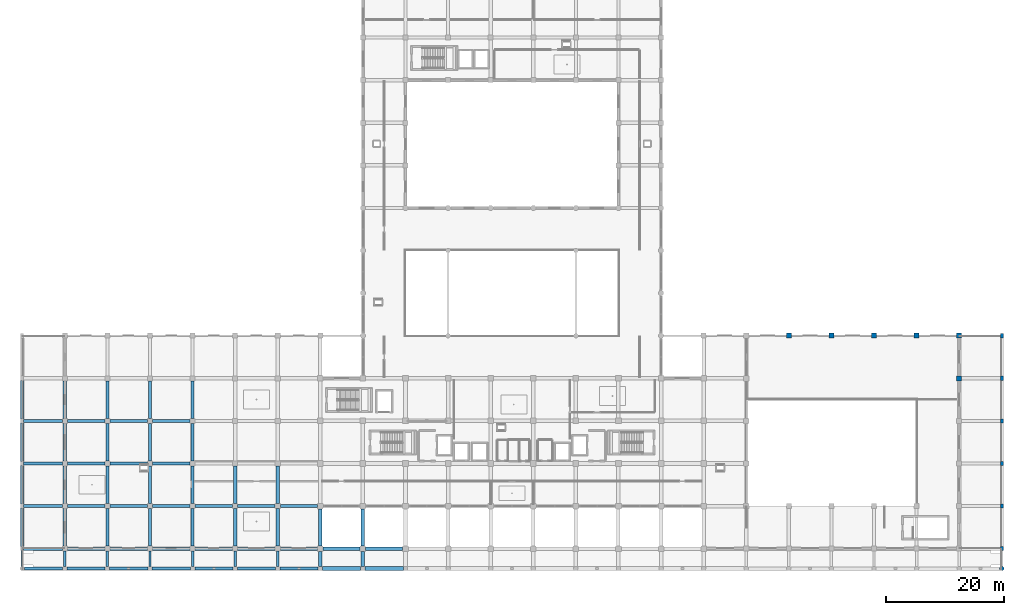
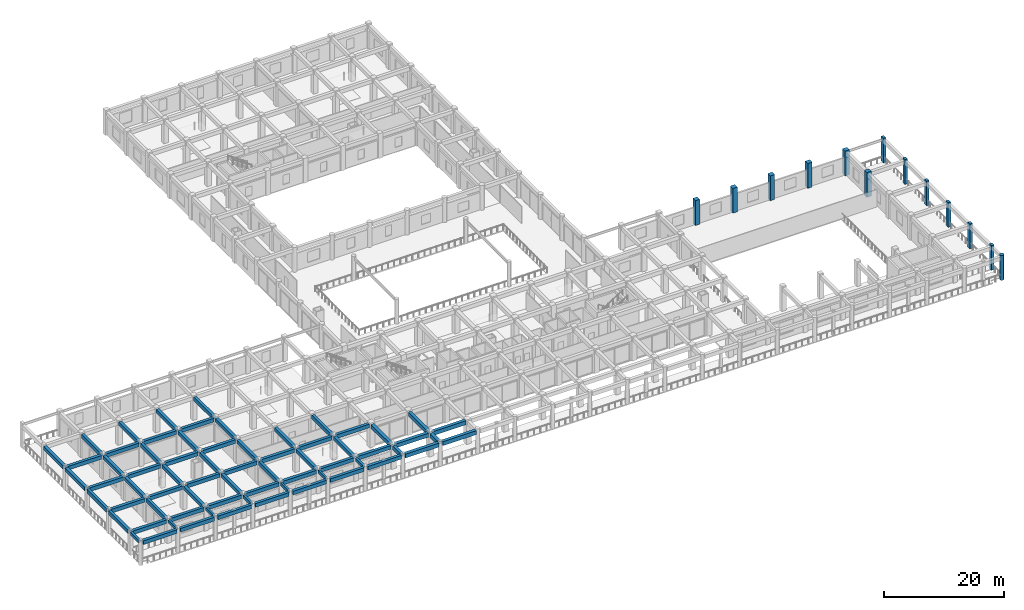
# One storey, part 3 of 54: 68 beams, 13 columns.
"""IFC4 building model written with IfcOpenShell, lengths in metres."""

from ifc_helpers import new_model, si_unit, direction, frame, origin, origin_2d, place, context, subcontext, project, spatial, rectangle, circle, extrude, material, material_profile, profile_set, type_object, element, save


model = new_model("IFC4")

# Units and contexts
model_context = context("Model", 3, precision=1e-05, world=origin(), true_north=direction((0.0, 1.0)))
body_context = subcontext(model_context, "Body", "Model", "MODEL_VIEW")
ifc_project = project(units=[si_unit("LENGTHUNIT", "METRE"), si_unit("AREAUNIT", "SQUARE_METRE"), si_unit("VOLUMEUNIT", "CUBIC_METRE"), si_unit("PLANEANGLEUNIT", "RADIAN"), si_unit("MASSUNIT", "GRAM", prefix="KILO")], contexts=[model_context])

# Site, building, storey
site_placement = place(None, origin())
site = spatial("IfcSite", under=ifc_project, at=site_placement, CompositionType="ELEMENT")
building_placement = place(site_placement, origin())
building = spatial("IfcBuilding", under=site, at=building_placement, Name="Kazehaya Institute of Natural Sciences", CompositionType="ELEMENT")
storey_placement = place(building_placement, frame((0.0, 0.0, 5.39990234375)))
storey = spatial("IfcBuildingStorey", under=building, at=storey_placement, Name="L01", CompositionType="ELEMENT", Elevation=5.39990234375)

# Columns
ifc_material_1 = material(Name="Concrete Fc36", Category="concrete")
ifc_material_profile_1 = material_profile(ifc_material_1, circle(Radius=0.375, at=origin_2d()), Name="RC-DIA750")
ifc_profile_set_1 = profile_set([ifc_material_profile_1], Name="Concrete Fc36")
column_type_1 = type_object("IfcColumnType", Name="COL-DIA750", PredefinedType="COLUMN", material=ifc_profile_set_1)
column_placement = place(storey_placement, frame((169.800048828125, 3.449951171875, 0.0), z_axis=(0.0, 0.0, 1.0), x_axis=(1.0, 0.0, 0.0)))
element("IfcColumn", 1, at=column_placement, inside=storey, type_object=column_type_1, Name="L01 column COL-L01-0474", PredefinedType="COLUMN", context=body_context, shape_type="SweptSolid", body=[
    extrude(circle(Radius=0.375, at=origin_2d()), origin(), (0.0, 0.0, 1.0), 5.0400390625),
])
ifc_material_profile_2 = material_profile(ifc_material_1, rectangle(XDim=0.5, YDim=0.699951171875, at=origin_2d()), Name="RC-700x500")
ifc_profile_set_2 = profile_set([ifc_material_profile_2], Name="Concrete Fc36")
column_type_2 = type_object("IfcColumnType", Name="COL-RC700x500", PredefinedType="COLUMN", material=ifc_profile_set_2)
for number, where, z_axis, x_axis, name in (
    (2, (169.800048828125, 6.800048828125, 0.0), (0.0, 0.0, 1.0), (1.0, 0.0, 0.0), "L01 column COL-L01-0498"),
    (3, (169.800048828125, 14.0, 0.0), (0.0, 0.0, 1.0), (1.0, 0.0, 0.0), "L01 column COL-L01-0522"),
    (4, (169.800048828125, 21.199951171875, 0.0), (0.0, 0.0, 1.0), (1.0, 0.0, 0.0), "L01 column COL-L01-0542"),
    (5, (169.800048828125, 28.39990234375, 0.0), (0.0, 0.0, 1.0), (1.0, 0.0, 0.0), "L01 column COL-L01-0562"),
    (6, (169.800048828125, 35.60009765625, 0.0), (0.0, 0.0, 1.0), (1.0, 0.0, 0.0), "L01 column COL-L01-0582"),
    (7, (169.800048828125, 42.800048828125, 0.0), (0.0, 0.0, 1.0), (1.0, 0.0, 0.0), "L01 column COL-L01-0600"),
):
    element("IfcColumn", number, at=place(storey_placement, frame(where, z_axis=z_axis, x_axis=x_axis)), inside=storey, type_object=column_type_2, Name=name, PredefinedType="COLUMN", context=body_context, shape_type="SweptSolid", body=[
        extrude(rectangle(XDim=0.5, YDim=0.699951171875, at=origin_2d()), origin(), (0.0, 0.0, 1.0), 5.0400390625),
    ])
ifc_material_2 = material(Name="Concrete Fc42", Category="concrete")
ifc_material_profile_3 = material_profile(ifc_material_2, rectangle(XDim=0.85009765625, YDim=0.85009765625, at=origin_2d()), Name="RC-850x850")
ifc_profile_set_3 = profile_set([ifc_material_profile_3], Name="Concrete Fc42")
column_type_3 = type_object("IfcColumnType", Name="COL-RC850", PredefinedType="COLUMN", material=ifc_profile_set_3)
for number, where, z_axis, x_axis, name in (
    (8, (162.60009765625, 35.60009765625, 0.0), (0.0, 0.0, 1.0), (1.0, 0.0, 0.0), "L01 column COL-L01-0581"),
    (9, (133.800048828125, 42.800048828125, 0.0), (0.0, 0.0, 1.0), (1.0, 0.0, 0.0), "L01 column COL-L01-0595"),
    (10, (141.0, 42.800048828125, 0.0), (0.0, 0.0, 1.0), (1.0, 0.0, 0.0), "L01 column COL-L01-0596"),
    (11, (148.199951171875, 42.800048828125, 0.0), (0.0, 0.0, 1.0), (1.0, 0.0, 0.0), "L01 column COL-L01-0597"),
    (12, (155.39990234375, 42.800048828125, 0.0), (0.0, 0.0, 1.0), (1.0, 0.0, 0.0), "L01 column COL-L01-0598"),
    (13, (162.60009765625, 42.800048828125, 0.0), (0.0, 0.0, 1.0), (1.0, 0.0, 0.0), "L01 column COL-L01-0599"),
):
    element("IfcColumn", number, at=place(storey_placement, frame(where, z_axis=z_axis, x_axis=x_axis)), inside=storey, type_object=column_type_3, Name=name, PredefinedType="COLUMN", context=body_context, shape_type="SweptSolid", body=[
        extrude(rectangle(XDim=0.85009765625, YDim=0.85009765625, at=origin_2d()), origin(), (0.0, 0.0, 1.0), 5.0400390625),
    ])

# Beams
ifc_material_profile_4 = material_profile(ifc_material_1, rectangle(XDim=0.39990234375, YDim=0.60009765625, at=origin_2d()), Name="RC-400x600")
ifc_profile_set_4 = profile_set([ifc_material_profile_4], Name="Concrete Fc36")
beam_type_1 = type_object("IfcBeamType", Name="BM-B-400x600", PredefinedType="BEAM", material=ifc_profile_set_4)
beam_1_placement = place(storey_placement, frame((4.199951171875, 3.824951171875, 4.47021484375), z_axis=(0.0, 1.0, 0.0), x_axis=(-1.0, 0.0, 0.0)))
element("IfcBeam", 14, at=beam_1_placement, inside=storey, type_object=beam_type_1, Name="L01 primary Y girder BMY-L01-42-34", PredefinedType="BEAM", context=body_context, shape_type="SweptSolid", body=[
    extrude(rectangle(XDim=0.39990234375, YDim=0.60009765625, at=origin_2d()), origin(), (0.0, 0.0, 1.0), 2.625),
])
for number, where, z_axis, x_axis, name in (
    (15, (11.39990234375, 3.824951171875, 4.47021484375), (0.0, 1.0, 0.0), (-1.0, 0.0, 0.0), "L01 primary Y girder BMY-L01-114-34"),
    (16, (18.60009765625, 3.824951171875, 4.47021484375), (0.0, 1.0, 0.0), (-1.0, 0.0, 0.0), "L01 primary Y girder BMY-L01-186-34"),
    (17, (25.800048828125, 3.824951171875, 4.47021484375), (0.0, 1.0, 0.0), (-1.0, 0.0, 0.0), "L01 primary Y girder BMY-L01-258-34"),
    (18, (33.0, 3.824951171875, 4.47021484375), (0.0, 1.0, 0.0), (-1.0, 0.0, 0.0), "L01 primary Y girder BMY-L01-330-34"),
    (19, (40.199951171875, 3.824951171875, 4.47021484375), (0.0, 1.0, 0.0), (-1.0, 0.0, 0.0), "L01 primary Y girder BMY-L01-402-34"),
    (20, (47.39990234375, 3.824951171875, 4.47021484375), (0.0, 1.0, 0.0), (-1.0, 0.0, 0.0), "L01 primary Y girder BMY-L01-474-34"),
):
    element("IfcBeam", number, at=place(storey_placement, frame(where, z_axis=z_axis, x_axis=x_axis)), inside=storey, type_object=beam_type_1, Name=name, PredefinedType="BEAM", context=body_context, shape_type="SweptSolid", body=[
        extrude(rectangle(XDim=0.39990234375, YDim=0.60009765625, at=origin_2d()), origin(), (0.0, 0.0, 1.0), 2.550048828125),
    ])
ifc_material_profile_5 = material_profile(ifc_material_1, rectangle(XDim=0.550048828125, YDim=0.75, at=origin_2d()), Name="RC-550x750")
ifc_profile_set_5 = profile_set([ifc_material_profile_5], Name="Concrete Fc36")
beam_type_2 = type_object("IfcBeamType", Name="BM-G-550x750", PredefinedType="BEAM", material=ifc_profile_set_5)
beam_2_placement = place(storey_placement, frame((4.574951171875, 3.449951171875, 4.39501953125), z_axis=(1.0, 0.0, 0.0), x_axis=(0.0, 1.0, 0.0)))
element("IfcBeam", 21, at=beam_2_placement, inside=storey, type_object=beam_type_2, Name="L01 primary X girder BMX-L01-42-34", PredefinedType="BEAM", context=body_context, shape_type="SweptSolid", body=[
    extrude(rectangle(XDim=0.550048828125, YDim=0.75, at=origin_2d()), origin(), (0.0, 0.0, 1.0), 6.449951171875),
])
beam_3_placement = place(storey_placement, frame((11.77490234375, 3.449951171875, 4.39501953125), z_axis=(1.0, 0.0, 0.0), x_axis=(0.0, 1.0, 0.0)))
element("IfcBeam", 22, at=beam_3_placement, inside=storey, type_object=beam_type_2, Name="L01 primary X girder BMX-L01-114-34", PredefinedType="BEAM", context=body_context, shape_type="SweptSolid", body=[
    extrude(rectangle(XDim=0.550048828125, YDim=0.75, at=origin_2d()), origin(), (0.0, 0.0, 1.0), 6.4501953125),
])
for number, where, z_axis, x_axis, name in (
    (23, (18.97509765625, 3.449951171875, 4.39501953125), (1.0, 0.0, 0.0), (0.0, 1.0, 0.0), "L01 primary X girder BMX-L01-186-34"),
    (24, (26.175048828125, 3.449951171875, 4.39501953125), (1.0, 0.0, 0.0), (0.0, 1.0, 0.0), "L01 primary X girder BMX-L01-258-34"),
    (25, (33.375, 3.449951171875, 4.39501953125), (1.0, 0.0, 0.0), (0.0, 1.0, 0.0), "L01 primary X girder BMX-L01-330-34"),
    (26, (40.574951171875, 3.449951171875, 4.39501953125), (1.0, 0.0, 0.0), (0.0, 1.0, 0.0), "L01 primary X girder BMX-L01-402-34"),
):
    element("IfcBeam", number, at=place(storey_placement, frame(where, z_axis=z_axis, x_axis=x_axis)), inside=storey, type_object=beam_type_2, Name=name, PredefinedType="BEAM", context=body_context, shape_type="SweptSolid", body=[
        extrude(rectangle(XDim=0.550048828125, YDim=0.75, at=origin_2d()), origin(), (0.0, 0.0, 1.0), 6.449951171875),
    ])
beam_4_placement = place(storey_placement, frame((47.77490234375, 3.449951171875, 4.39501953125), z_axis=(1.0, 0.0, 0.0), x_axis=(0.0, 1.0, 0.0)))
element("IfcBeam", 27, at=beam_4_placement, inside=storey, type_object=beam_type_2, Name="L01 primary X girder BMX-L01-474-34", PredefinedType="BEAM", context=body_context, shape_type="SweptSolid", body=[
    extrude(rectangle(XDim=0.550048828125, YDim=0.75, at=origin_2d()), origin(), (0.0, 0.0, 1.0), 6.4501953125),
])
beam_5_placement = place(storey_placement, frame((4.449951171875, 6.800048828125, 4.39501953125), z_axis=(1.0, 0.0, 0.0), x_axis=(0.0, 1.0, 0.0)))
element("IfcBeam", 28, at=beam_5_placement, inside=storey, type_object=beam_type_2, Name="L01 primary X girder BMX-L01-42-68", PredefinedType="BEAM", context=body_context, shape_type="SweptSolid", body=[
    extrude(rectangle(XDim=0.550048828125, YDim=0.75, at=origin_2d()), origin(), (0.0, 0.0, 1.0), 6.525146484375),
])
for number, where, z_axis, x_axis, name in (
    (29, (11.824951171875, 6.800048828125, 4.39501953125), (1.0, 0.0, 0.0), (0.0, 1.0, 0.0), "L01 primary X girder BMX-L01-114-68"),
    (30, (19.02490234375, 6.800048828125, 4.39501953125), (1.0, 0.0, 0.0), (0.0, 1.0, 0.0), "L01 primary X girder BMX-L01-186-68"),
):
    element("IfcBeam", number, at=place(storey_placement, frame(where, z_axis=z_axis, x_axis=x_axis)), inside=storey, type_object=beam_type_2, Name=name, PredefinedType="BEAM", context=body_context, shape_type="SweptSolid", body=[
        extrude(rectangle(XDim=0.550048828125, YDim=0.75, at=origin_2d()), origin(), (0.0, 0.0, 1.0), 6.35009765625),
    ])
for number, where, z_axis, x_axis, name in (
    (31, (26.22509765625, 6.800048828125, 4.39501953125), (1.0, 0.0, 0.0), (0.0, 1.0, 0.0), "L01 primary X girder BMX-L01-258-68"),
    (32, (33.425048828125, 6.800048828125, 4.39501953125), (1.0, 0.0, 0.0), (0.0, 1.0, 0.0), "L01 primary X girder BMX-L01-330-68"),
):
    element("IfcBeam", number, at=place(storey_placement, frame(where, z_axis=z_axis, x_axis=x_axis)), inside=storey, type_object=beam_type_2, Name=name, PredefinedType="BEAM", context=body_context, shape_type="SweptSolid", body=[
        extrude(rectangle(XDim=0.550048828125, YDim=0.75, at=origin_2d()), origin(), (0.0, 0.0, 1.0), 6.349853515625),
    ])
beam_6_placement = place(storey_placement, frame((40.625, 6.800048828125, 4.39501953125), z_axis=(1.0, 0.0, 0.0), x_axis=(0.0, 1.0, 0.0)))
element("IfcBeam", 33, at=beam_6_placement, inside=storey, type_object=beam_type_2, Name="L01 primary X girder BMX-L01-402-68", PredefinedType="BEAM", context=body_context, shape_type="SweptSolid", body=[
    extrude(rectangle(XDim=0.550048828125, YDim=0.75, at=origin_2d()), origin(), (0.0, 0.0, 1.0), 6.35009765625),
])
beam_7_placement = place(storey_placement, frame((47.824951171875, 6.800048828125, 4.39501953125), z_axis=(1.0, 0.0, 0.0), x_axis=(0.0, 1.0, 0.0)))
element("IfcBeam", 34, at=beam_7_placement, inside=storey, type_object=beam_type_2, Name="L01 primary X girder BMX-L01-474-68", PredefinedType="BEAM", context=body_context, shape_type="SweptSolid", body=[
    extrude(rectangle(XDim=0.550048828125, YDim=0.75, at=origin_2d()), origin(), (0.0, 0.0, 1.0), 6.300048828125),
])
beam_8_placement = place(storey_placement, frame((4.449951171875, 14.0, 4.39501953125), z_axis=(1.0, 0.0, 0.0), x_axis=(0.0, 1.0, 0.0)))
element("IfcBeam", 35, at=beam_8_placement, inside=storey, type_object=beam_type_2, Name="L01 primary X girder BMX-L01-42-140", PredefinedType="BEAM", context=body_context, shape_type="SweptSolid", body=[
    extrude(rectangle(XDim=0.550048828125, YDim=0.75, at=origin_2d()), origin(), (0.0, 0.0, 1.0), 6.525146484375),
])
for number, where, z_axis, x_axis, name in (
    (36, (11.824951171875, 14.0, 4.39501953125), (1.0, 0.0, 0.0), (0.0, 1.0, 0.0), "L01 primary X girder BMX-L01-114-140"),
    (37, (19.02490234375, 14.0, 4.39501953125), (1.0, 0.0, 0.0), (0.0, 1.0, 0.0), "L01 primary X girder BMX-L01-186-140"),
):
    element("IfcBeam", number, at=place(storey_placement, frame(where, z_axis=z_axis, x_axis=x_axis)), inside=storey, type_object=beam_type_2, Name=name, PredefinedType="BEAM", context=body_context, shape_type="SweptSolid", body=[
        extrude(rectangle(XDim=0.550048828125, YDim=0.75, at=origin_2d()), origin(), (0.0, 0.0, 1.0), 6.35009765625),
    ])
for number, where, z_axis, x_axis, name in (
    (38, (26.22509765625, 14.0, 4.39501953125), (1.0, 0.0, 0.0), (0.0, 1.0, 0.0), "L01 primary X girder BMX-L01-258-140"),
    (39, (33.425048828125, 14.0, 4.39501953125), (1.0, 0.0, 0.0), (0.0, 1.0, 0.0), "L01 primary X girder BMX-L01-330-140"),
):
    element("IfcBeam", number, at=place(storey_placement, frame(where, z_axis=z_axis, x_axis=x_axis)), inside=storey, type_object=beam_type_2, Name=name, PredefinedType="BEAM", context=body_context, shape_type="SweptSolid", body=[
        extrude(rectangle(XDim=0.550048828125, YDim=0.75, at=origin_2d()), origin(), (0.0, 0.0, 1.0), 6.349853515625),
    ])
beam_9_placement = place(storey_placement, frame((40.625, 14.0, 4.39501953125), z_axis=(1.0, 0.0, 0.0), x_axis=(0.0, 1.0, 0.0)))
element("IfcBeam", 40, at=beam_9_placement, inside=storey, type_object=beam_type_2, Name="L01 primary X girder BMX-L01-402-140", PredefinedType="BEAM", context=body_context, shape_type="SweptSolid", body=[
    extrude(rectangle(XDim=0.550048828125, YDim=0.75, at=origin_2d()), origin(), (0.0, 0.0, 1.0), 6.35009765625),
])
beam_10_placement = place(storey_placement, frame((47.824951171875, 14.0, 4.39501953125), z_axis=(1.0, 0.0, 0.0), x_axis=(0.0, 1.0, 0.0)))
element("IfcBeam", 41, at=beam_10_placement, inside=storey, type_object=beam_type_2, Name="L01 primary X girder BMX-L01-474-140", PredefinedType="BEAM", context=body_context, shape_type="SweptSolid", body=[
    extrude(rectangle(XDim=0.550048828125, YDim=0.75, at=origin_2d()), origin(), (0.0, 0.0, 1.0), 6.300048828125),
])
beam_11_placement = place(storey_placement, frame((4.449951171875, 21.199951171875, 4.39501953125), z_axis=(1.0, 0.0, 0.0), x_axis=(0.0, 1.0, 0.0)))
element("IfcBeam", 42, at=beam_11_placement, inside=storey, type_object=beam_type_2, Name="L01 primary X girder BMX-L01-42-212", PredefinedType="BEAM", context=body_context, shape_type="SweptSolid", body=[
    extrude(rectangle(XDim=0.550048828125, YDim=0.75, at=origin_2d()), origin(), (0.0, 0.0, 1.0), 6.525146484375),
])
for number, where, z_axis, x_axis, name in (
    (43, (11.824951171875, 21.199951171875, 4.39501953125), (1.0, 0.0, 0.0), (0.0, 1.0, 0.0), "L01 primary X girder BMX-L01-114-212"),
    (44, (19.02490234375, 21.199951171875, 4.39501953125), (1.0, 0.0, 0.0), (0.0, 1.0, 0.0), "L01 primary X girder BMX-L01-186-212"),
):
    element("IfcBeam", number, at=place(storey_placement, frame(where, z_axis=z_axis, x_axis=x_axis)), inside=storey, type_object=beam_type_2, Name=name, PredefinedType="BEAM", context=body_context, shape_type="SweptSolid", body=[
        extrude(rectangle(XDim=0.550048828125, YDim=0.75, at=origin_2d()), origin(), (0.0, 0.0, 1.0), 6.35009765625),
    ])
beam_12_placement = place(storey_placement, frame((26.22509765625, 21.199951171875, 4.39501953125), z_axis=(1.0, 0.0, 0.0), x_axis=(0.0, 1.0, 0.0)))
element("IfcBeam", 45, at=beam_12_placement, inside=storey, type_object=beam_type_2, Name="L01 primary X girder BMX-L01-258-212", PredefinedType="BEAM", context=body_context, shape_type="SweptSolid", body=[
    extrude(rectangle(XDim=0.550048828125, YDim=0.75, at=origin_2d()), origin(), (0.0, 0.0, 1.0), 6.349853515625),
])
beam_13_placement = place(storey_placement, frame((4.449951171875, 28.39990234375, 4.39501953125), z_axis=(1.0, 0.0, 0.0), x_axis=(0.0, 1.0, 0.0)))
element("IfcBeam", 46, at=beam_13_placement, inside=storey, type_object=beam_type_2, Name="L01 primary X girder BMX-L01-42-284", PredefinedType="BEAM", context=body_context, shape_type="SweptSolid", body=[
    extrude(rectangle(XDim=0.550048828125, YDim=0.75, at=origin_2d()), origin(), (0.0, 0.0, 1.0), 6.525146484375),
])
for number, where, z_axis, x_axis, name in (
    (47, (11.824951171875, 28.39990234375, 4.39501953125), (1.0, 0.0, 0.0), (0.0, 1.0, 0.0), "L01 primary X girder BMX-L01-114-284"),
    (48, (19.02490234375, 28.39990234375, 4.39501953125), (1.0, 0.0, 0.0), (0.0, 1.0, 0.0), "L01 primary X girder BMX-L01-186-284"),
):
    element("IfcBeam", number, at=place(storey_placement, frame(where, z_axis=z_axis, x_axis=x_axis)), inside=storey, type_object=beam_type_2, Name=name, PredefinedType="BEAM", context=body_context, shape_type="SweptSolid", body=[
        extrude(rectangle(XDim=0.550048828125, YDim=0.75, at=origin_2d()), origin(), (0.0, 0.0, 1.0), 6.35009765625),
    ])
beam_14_placement = place(storey_placement, frame((26.22509765625, 28.39990234375, 4.39501953125), z_axis=(1.0, 0.0, 0.0), x_axis=(0.0, 1.0, 0.0)))
element("IfcBeam", 49, at=beam_14_placement, inside=storey, type_object=beam_type_2, Name="L01 primary X girder BMX-L01-258-284", PredefinedType="BEAM", context=body_context, shape_type="SweptSolid", body=[
    extrude(rectangle(XDim=0.550048828125, YDim=0.75, at=origin_2d()), origin(), (0.0, 0.0, 1.0), 6.349853515625),
])
for number, where, z_axis, x_axis, name in (
    (50, (4.199951171875, 7.14990234375, 4.39501953125), (0.0, 1.0, 0.0), (-1.0, 0.0, 0.0), "L01 primary Y girder BMY-L01-42-68"),
    (51, (4.199951171875, 14.35009765625, 4.39501953125), (0.0, 1.0, 0.0), (-1.0, 0.0, 0.0), "L01 primary Y girder BMY-L01-42-140"),
    (52, (4.199951171875, 21.550048828125, 4.39501953125), (0.0, 1.0, 0.0), (-1.0, 0.0, 0.0), "L01 primary Y girder BMY-L01-42-212"),
    (53, (4.199951171875, 28.75, 4.39501953125), (0.0, 1.0, 0.0), (-1.0, 0.0, 0.0), "L01 primary Y girder BMY-L01-42-284"),
):
    element("IfcBeam", number, at=place(storey_placement, frame(where, z_axis=z_axis, x_axis=x_axis)), inside=storey, type_object=beam_type_2, Name=name, PredefinedType="BEAM", context=body_context, shape_type="SweptSolid", body=[
        extrude(rectangle(XDim=0.550048828125, YDim=0.75, at=origin_2d()), origin(), (0.0, 0.0, 1.0), 6.5),
    ])
for number, where, z_axis, x_axis, name in (
    (54, (11.39990234375, 7.22509765625, 4.39501953125), (0.0, 1.0, 0.0), (-1.0, 0.0, 0.0), "L01 primary Y girder BMY-L01-114-68"),
    (55, (11.39990234375, 14.425048828125, 4.39501953125), (0.0, 1.0, 0.0), (-1.0, 0.0, 0.0), "L01 primary Y girder BMY-L01-114-140"),
):
    element("IfcBeam", number, at=place(storey_placement, frame(where, z_axis=z_axis, x_axis=x_axis)), inside=storey, type_object=beam_type_2, Name=name, PredefinedType="BEAM", context=body_context, shape_type="SweptSolid", body=[
        extrude(rectangle(XDim=0.550048828125, YDim=0.75, at=origin_2d()), origin(), (0.0, 0.0, 1.0), 6.349853515625),
    ])
for number, where, z_axis, x_axis, name in (
    (56, (11.39990234375, 21.625, 4.39501953125), (0.0, 1.0, 0.0), (-1.0, 0.0, 0.0), "L01 primary Y girder BMY-L01-114-212"),
    (57, (11.39990234375, 28.824951171875, 4.39501953125), (0.0, 1.0, 0.0), (-1.0, 0.0, 0.0), "L01 primary Y girder BMY-L01-114-284"),
):
    element("IfcBeam", number, at=place(storey_placement, frame(where, z_axis=z_axis, x_axis=x_axis)), inside=storey, type_object=beam_type_2, Name=name, PredefinedType="BEAM", context=body_context, shape_type="SweptSolid", body=[
        extrude(rectangle(XDim=0.550048828125, YDim=0.75, at=origin_2d()), origin(), (0.0, 0.0, 1.0), 6.35009765625),
    ])
for number, where, z_axis, x_axis, name in (
    (58, (18.60009765625, 7.22509765625, 4.39501953125), (0.0, 1.0, 0.0), (-1.0, 0.0, 0.0), "L01 primary Y girder BMY-L01-186-68"),
    (59, (18.60009765625, 14.425048828125, 4.39501953125), (0.0, 1.0, 0.0), (-1.0, 0.0, 0.0), "L01 primary Y girder BMY-L01-186-140"),
):
    element("IfcBeam", number, at=place(storey_placement, frame(where, z_axis=z_axis, x_axis=x_axis)), inside=storey, type_object=beam_type_2, Name=name, PredefinedType="BEAM", context=body_context, shape_type="SweptSolid", body=[
        extrude(rectangle(XDim=0.550048828125, YDim=0.75, at=origin_2d()), origin(), (0.0, 0.0, 1.0), 6.349853515625),
    ])
for number, where, z_axis, x_axis, name in (
    (60, (18.60009765625, 21.625, 4.39501953125), (0.0, 1.0, 0.0), (-1.0, 0.0, 0.0), "L01 primary Y girder BMY-L01-186-212"),
    (61, (18.60009765625, 28.824951171875, 4.39501953125), (0.0, 1.0, 0.0), (-1.0, 0.0, 0.0), "L01 primary Y girder BMY-L01-186-284"),
):
    element("IfcBeam", number, at=place(storey_placement, frame(where, z_axis=z_axis, x_axis=x_axis)), inside=storey, type_object=beam_type_2, Name=name, PredefinedType="BEAM", context=body_context, shape_type="SweptSolid", body=[
        extrude(rectangle(XDim=0.550048828125, YDim=0.75, at=origin_2d()), origin(), (0.0, 0.0, 1.0), 6.35009765625),
    ])
for number, where, z_axis, x_axis, name in (
    (62, (25.800048828125, 7.22509765625, 4.39501953125), (0.0, 1.0, 0.0), (-1.0, 0.0, 0.0), "L01 primary Y girder BMY-L01-258-68"),
    (63, (25.800048828125, 14.425048828125, 4.39501953125), (0.0, 1.0, 0.0), (-1.0, 0.0, 0.0), "L01 primary Y girder BMY-L01-258-140"),
):
    element("IfcBeam", number, at=place(storey_placement, frame(where, z_axis=z_axis, x_axis=x_axis)), inside=storey, type_object=beam_type_2, Name=name, PredefinedType="BEAM", context=body_context, shape_type="SweptSolid", body=[
        extrude(rectangle(XDim=0.550048828125, YDim=0.75, at=origin_2d()), origin(), (0.0, 0.0, 1.0), 6.349853515625),
    ])
for number, where, z_axis, x_axis, name in (
    (64, (25.800048828125, 21.625, 4.39501953125), (0.0, 1.0, 0.0), (-1.0, 0.0, 0.0), "L01 primary Y girder BMY-L01-258-212"),
    (65, (25.800048828125, 28.824951171875, 4.39501953125), (0.0, 1.0, 0.0), (-1.0, 0.0, 0.0), "L01 primary Y girder BMY-L01-258-284"),
):
    element("IfcBeam", number, at=place(storey_placement, frame(where, z_axis=z_axis, x_axis=x_axis)), inside=storey, type_object=beam_type_2, Name=name, PredefinedType="BEAM", context=body_context, shape_type="SweptSolid", body=[
        extrude(rectangle(XDim=0.550048828125, YDim=0.75, at=origin_2d()), origin(), (0.0, 0.0, 1.0), 6.35009765625),
    ])
for number, where, z_axis, x_axis, name in (
    (66, (33.0, 7.22509765625, 4.39501953125), (0.0, 1.0, 0.0), (-1.0, 0.0, 0.0), "L01 primary Y girder BMY-L01-330-68"),
    (67, (33.0, 14.425048828125, 4.39501953125), (0.0, 1.0, 0.0), (-1.0, 0.0, 0.0), "L01 primary Y girder BMY-L01-330-140"),
):
    element("IfcBeam", number, at=place(storey_placement, frame(where, z_axis=z_axis, x_axis=x_axis)), inside=storey, type_object=beam_type_2, Name=name, PredefinedType="BEAM", context=body_context, shape_type="SweptSolid", body=[
        extrude(rectangle(XDim=0.550048828125, YDim=0.75, at=origin_2d()), origin(), (0.0, 0.0, 1.0), 6.349853515625),
    ])
for number, where, z_axis, x_axis, name in (
    (68, (33.0, 21.625, 4.39501953125), (0.0, 1.0, 0.0), (-1.0, 0.0, 0.0), "L01 primary Y girder BMY-L01-330-212"),
    (69, (33.0, 28.824951171875, 4.39501953125), (0.0, 1.0, 0.0), (-1.0, 0.0, 0.0), "L01 primary Y girder BMY-L01-330-284"),
):
    element("IfcBeam", number, at=place(storey_placement, frame(where, z_axis=z_axis, x_axis=x_axis)), inside=storey, type_object=beam_type_2, Name=name, PredefinedType="BEAM", context=body_context, shape_type="SweptSolid", body=[
        extrude(rectangle(XDim=0.550048828125, YDim=0.75, at=origin_2d()), origin(), (0.0, 0.0, 1.0), 6.35009765625),
    ])
for number, where, z_axis, x_axis, name in (
    (70, (40.199951171875, 7.22509765625, 4.39501953125), (0.0, 1.0, 0.0), (-1.0, 0.0, 0.0), "L01 primary Y girder BMY-L01-402-68"),
    (71, (40.199951171875, 14.425048828125, 4.39501953125), (0.0, 1.0, 0.0), (-1.0, 0.0, 0.0), "L01 primary Y girder BMY-L01-402-140"),
    (72, (47.39990234375, 7.22509765625, 4.39501953125), (0.0, 1.0, 0.0), (-1.0, 0.0, 0.0), "L01 primary Y girder BMY-L01-474-68"),
    (73, (47.39990234375, 14.425048828125, 4.39501953125), (0.0, 1.0, 0.0), (-1.0, 0.0, 0.0), "L01 primary Y girder BMY-L01-474-140"),
):
    element("IfcBeam", number, at=place(storey_placement, frame(where, z_axis=z_axis, x_axis=x_axis)), inside=storey, type_object=beam_type_2, Name=name, PredefinedType="BEAM", context=body_context, shape_type="SweptSolid", body=[
        extrude(rectangle(XDim=0.550048828125, YDim=0.75, at=origin_2d()), origin(), (0.0, 0.0, 1.0), 6.349853515625),
    ])
ifc_material_profile_6 = material_profile(ifc_material_1, rectangle(XDim=0.60009765625, YDim=0.800048828125, at=origin_2d()), Name="RC-600x800")
ifc_profile_set_6 = profile_set([ifc_material_profile_6], Name="Concrete Fc36")
beam_type_3 = type_object("IfcBeamType", Name="BM-G-600x800", PredefinedType="BEAM", material=ifc_profile_set_6)
for number, where, z_axis, x_axis, name in (
    (74, (54.97509765625, 3.449951171875, 4.3701171875), (1.0, 0.0, 0.0), (0.0, 1.0, 0.0), "L01 primary X girder BMX-L01-546-34"),
    (75, (62.175048828125, 3.449951171875, 4.3701171875), (1.0, 0.0, 0.0), (0.0, 1.0, 0.0), "L01 primary X girder BMX-L01-618-34"),
):
    element("IfcBeam", number, at=place(storey_placement, frame(where, z_axis=z_axis, x_axis=x_axis)), inside=storey, type_object=beam_type_3, Name=name, PredefinedType="BEAM", context=body_context, shape_type="SweptSolid", body=[
        extrude(rectangle(XDim=0.60009765625, YDim=0.800048828125, at=origin_2d()), origin(), (0.0, 0.0, 1.0), 6.449951171875),
    ])
for number, where, z_axis, x_axis, name in (
    (76, (55.074951171875, 6.800048828125, 4.3701171875), (1.0, 0.0, 0.0), (0.0, 1.0, 0.0), "L01 primary X girder BMX-L01-546-68"),
    (77, (62.27490234375, 6.800048828125, 4.3701171875), (1.0, 0.0, 0.0), (0.0, 1.0, 0.0), "L01 primary X girder BMX-L01-618-68"),
):
    element("IfcBeam", number, at=place(storey_placement, frame(where, z_axis=z_axis, x_axis=x_axis)), inside=storey, type_object=beam_type_3, Name=name, PredefinedType="BEAM", context=body_context, shape_type="SweptSolid", body=[
        extrude(rectangle(XDim=0.60009765625, YDim=0.800048828125, at=origin_2d()), origin(), (0.0, 0.0, 1.0), 6.25),
    ])
beam_15_placement = place(storey_placement, frame((54.60009765625, 3.824951171875, 4.3701171875), z_axis=(0.0, 1.0, 0.0), x_axis=(-1.0, 0.0, 0.0)))
element("IfcBeam", 78, at=beam_15_placement, inside=storey, type_object=beam_type_3, Name="L01 primary Y girder BMY-L01-546-34", PredefinedType="BEAM", context=body_context, shape_type="SweptSolid", body=[
    extrude(rectangle(XDim=0.60009765625, YDim=0.800048828125, at=origin_2d()), origin(), (0.0, 0.0, 1.0), 2.5),
])
beam_16_placement = place(storey_placement, frame((54.60009765625, 7.27490234375, 4.3701171875), z_axis=(0.0, 1.0, 0.0), x_axis=(-1.0, 0.0, 0.0)))
element("IfcBeam", 79, at=beam_16_placement, inside=storey, type_object=beam_type_3, Name="L01 primary Y girder BMY-L01-546-68", PredefinedType="BEAM", context=body_context, shape_type="SweptSolid", body=[
    extrude(rectangle(XDim=0.60009765625, YDim=0.800048828125, at=origin_2d()), origin(), (0.0, 0.0, 1.0), 6.25),
])
beam_17_placement = place(storey_placement, frame((61.800048828125, 3.824951171875, 4.3701171875), z_axis=(0.0, 1.0, 0.0), x_axis=(-1.0, 0.0, 0.0)))
element("IfcBeam", 80, at=beam_17_placement, inside=storey, type_object=beam_type_3, Name="L01 primary Y girder BMY-L01-618-34", PredefinedType="BEAM", context=body_context, shape_type="SweptSolid", body=[
    extrude(rectangle(XDim=0.60009765625, YDim=0.800048828125, at=origin_2d()), origin(), (0.0, 0.0, 1.0), 2.5),
])
beam_18_placement = place(storey_placement, frame((61.800048828125, 7.27490234375, 4.3701171875), z_axis=(0.0, 1.0, 0.0), x_axis=(-1.0, 0.0, 0.0)))
element("IfcBeam", 81, at=beam_18_placement, inside=storey, type_object=beam_type_3, Name="L01 primary Y girder BMY-L01-618-68", PredefinedType="BEAM", context=body_context, shape_type="SweptSolid", body=[
    extrude(rectangle(XDim=0.60009765625, YDim=0.800048828125, at=origin_2d()), origin(), (0.0, 0.0, 1.0), 6.25),
])

save(model, "model.ifc")
